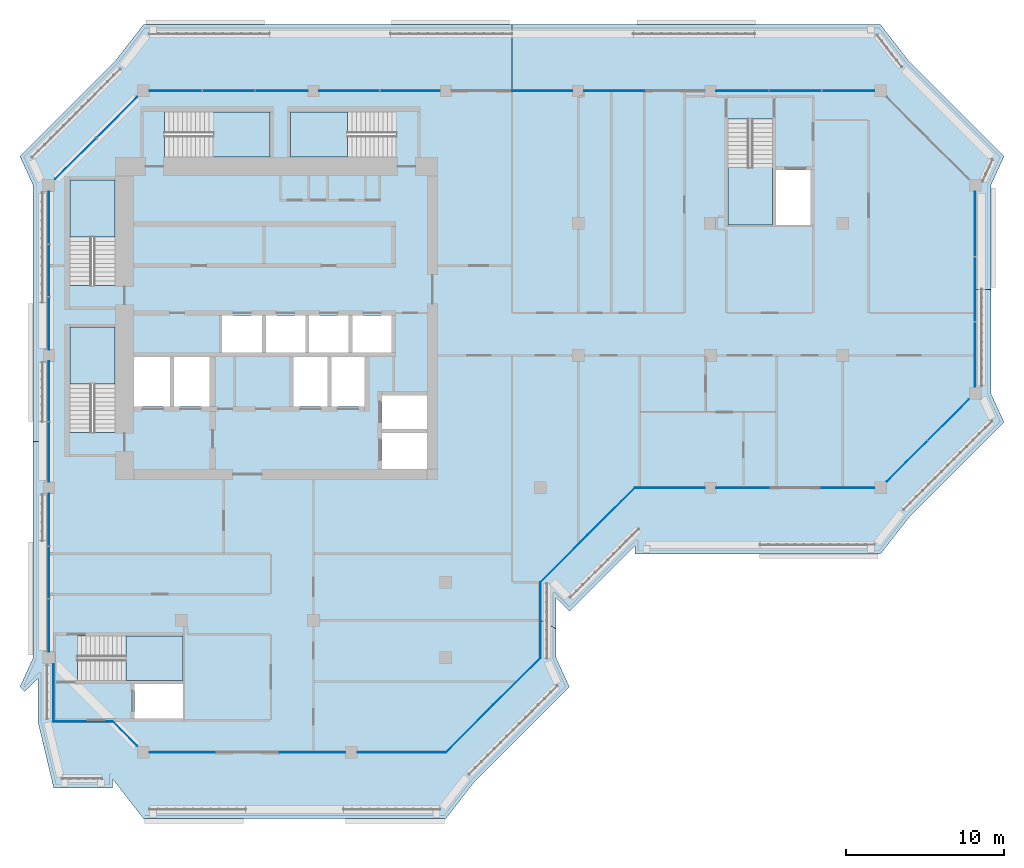
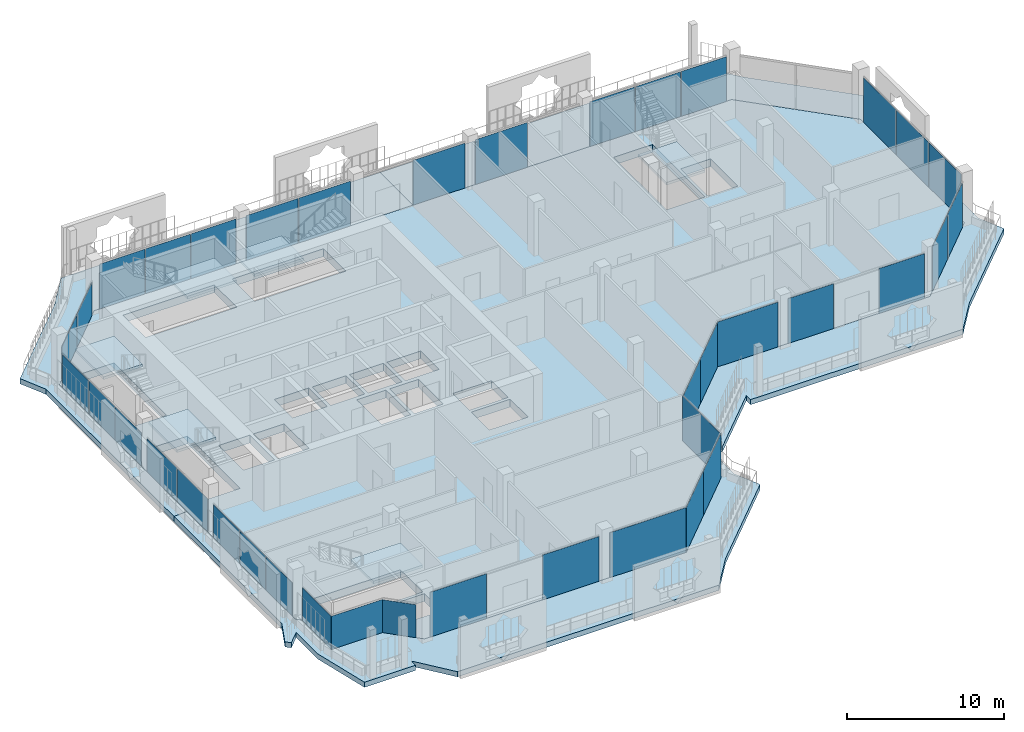
# One storey, part 9 of 21: 39 plates, 11 slabs, 19 elements without a shape of their own.
"""IFC4 building model written with IfcOpenShell, lengths in metres."""

from ifc_helpers import new_model, si_unit, direction, frame, origin, origin_2d, place, context, subcontext, project, spatial, polyline, rectangle, outline, extrude, material, layer, layer_set, type_object, element, aggregate, save


model = new_model("IFC4")

# Units and contexts
model_context = context("Model", 3, precision=1e-05, world=origin(), true_north=direction((0.0, 1.0)))
body_context = subcontext(model_context, "Body", "Model", "MODEL_VIEW")
ifc_project = project(units=[si_unit("LENGTHUNIT", "METRE"), si_unit("AREAUNIT", "SQUARE_METRE"), si_unit("VOLUMEUNIT", "CUBIC_METRE"), si_unit("PLANEANGLEUNIT", "RADIAN"), si_unit("MASSUNIT", "GRAM", prefix="KILO")], contexts=[model_context])

# Site, building, storey
site_placement = place(None, origin())
site = spatial("IfcSite", under=ifc_project, at=site_placement, CompositionType="ELEMENT")
building_placement = place(site_placement, origin())
building = spatial("IfcBuilding", under=site, at=building_placement, Name="Kawkab Arch Medical Tower", CompositionType="ELEMENT")
storey_placement = place(building_placement, frame((0.0, 0.0, 319.60009765625)))
storey = spatial("IfcBuildingStorey", under=building, at=storey_placement, Name="L74", CompositionType="ELEMENT", Elevation=319.60009765625)

# Curtain wall, plates
ifc_material_1 = material(Name="Bronze anodised aluminium curtain wall frame", Category="aluminium")
ifc_layer_1 = layer(ifc_material_1, 0.159912109375)
ifc_layer_set_1 = layer_set([ifc_layer_1], Name="Bronze anodised aluminium curtain wall frame")
curtain_wall_type_1 = type_object("IfcCurtainWallType", Name="CW1 ward curtain wall", PredefinedType="NOTDEFINED", material=ifc_layer_set_1)
placement_1 = place(storey_placement, origin())
curtain_wall_1 = element("IfcCurtainWall", 1, at=placement_1, inside=storey, type_object=curtain_wall_type_1, Name="CW1 Ward curtain wall R02", PredefinedType="NOTDEFINED")
ifc_material_2 = material(Name="Tinted insulating glass, bronze low-e coating", Category="glass")
ifc_layer_2 = layer(ifc_material_2, 0.031982421875)
ifc_layer_set_2 = layer_set([ifc_layer_2], Name="Tinted insulating glass, bronze low-e coating")
plate_type_1 = type_object("IfcPlateType", Name="CW1 glazing unit 32", PredefinedType="CURTAIN_PANEL", material=ifc_layer_set_2)
plate_1_placement = place(storey_placement, frame((0.0, -8.055908203125, -0.000244140625), z_axis=(0.0, 0.0, 1.0), x_axis=(0.0, -1.0, 0.0)))
plate_1 = element("IfcPlate", 2, at=plate_1_placement, type_object=plate_type_1, Name="CW1 glazing unit 1.1", PredefinedType="CURTAIN_PANEL", context=body_context, shape_type="SweptSolid", body=[
    extrude(rectangle(XDim=3.311767578125, YDim=0.031982421875, at=origin_2d()), origin(), (0.0, 0.0, 1.0), 2.580078125),
])
plate_2_placement = place(storey_placement, frame((0.0, -11.41259765625, -0.000244140625), z_axis=(0.0, 0.0, 1.0), x_axis=(0.0, -1.0, 0.0)))
plate_2 = element("IfcPlate", 3, at=plate_2_placement, type_object=plate_type_1, Name="CW1 glazing unit 1.2", PredefinedType="CURTAIN_PANEL", context=body_context, shape_type="SweptSolid", body=[
    extrude(rectangle(XDim=3.28173828125, YDim=0.031982421875, at=origin_2d()), origin(), (0.0, 0.0, 1.0), 2.580078125),
])
plate_3_placement = place(storey_placement, frame((0.0, -14.769287109375, -0.000244140625), z_axis=(0.0, 0.0, 1.0), x_axis=(0.0, -1.0, 0.0)))
plate_3 = element("IfcPlate", 4, at=plate_3_placement, type_object=plate_type_1, Name="CW1 glazing unit 1.3", PredefinedType="CURTAIN_PANEL", context=body_context, shape_type="SweptSolid", body=[
    extrude(rectangle(XDim=3.311767578125, YDim=0.031982421875, at=origin_2d()), origin(), (0.0, 0.0, 1.0), 2.580078125),
])
plate_4_placement = place(storey_placement, frame((0.0, -19.072509765625, -0.000244140625), z_axis=(0.0, 0.0, 1.0), x_axis=(0.0, -1.0, 0.0)))
plate_4 = element("IfcPlate", 5, at=plate_4_placement, type_object=plate_type_1, Name="CW1 glazing unit 2.1", PredefinedType="CURTAIN_PANEL", context=body_context, shape_type="SweptSolid", body=[
    extrude(rectangle(XDim=3.794921875, YDim=0.031982421875, at=origin_2d()), origin(), (0.0, 0.0, 1.0), 2.580078125),
])
plate_5_placement = place(storey_placement, frame((0.0, -22.927490234375, -0.000244140625), z_axis=(0.0, 0.0, 1.0), x_axis=(0.0, -1.0, 0.0)))
plate_5 = element("IfcPlate", 6, at=plate_5_placement, type_object=plate_type_1, Name="CW1 glazing unit 2.2", PredefinedType="CURTAIN_PANEL", context=body_context, shape_type="SweptSolid", body=[
    extrude(rectangle(XDim=3.794921875, YDim=0.031982421875, at=origin_2d()), origin(), (0.0, 0.0, 1.0), 2.580078125),
])
plate_6_placement = place(storey_placement, frame((0.0, -27.230712890625, -0.000244140625), z_axis=(0.0, 0.0, 1.0), x_axis=(0.0, -1.0, 0.0)))
plate_6 = element("IfcPlate", 7, at=plate_6_placement, type_object=plate_type_1, Name="CW1 glazing unit 3.1", PredefinedType="CURTAIN_PANEL", context=body_context, shape_type="SweptSolid", body=[
    extrude(rectangle(XDim=3.311767578125, YDim=0.031982421875, at=origin_2d()), origin(), (0.0, 0.0, 1.0), 2.580078125),
])
plate_7_placement = place(storey_placement, frame((0.0, -30.58740234375, -0.000244140625), z_axis=(0.0, 0.0, 1.0), x_axis=(0.0, -1.0, 0.0)))
plate_7 = element("IfcPlate", 8, at=plate_7_placement, type_object=plate_type_1, Name="CW1 glazing unit 3.2", PredefinedType="CURTAIN_PANEL", context=body_context, shape_type="SweptSolid", body=[
    extrude(rectangle(XDim=3.28173828125, YDim=0.031982421875, at=origin_2d()), origin(), (0.0, 0.0, 1.0), 2.580078125),
])
plate_8_placement = place(storey_placement, frame((0.0, -33.944091796875, -0.000244140625), z_axis=(0.0, 0.0, 1.0), x_axis=(0.0, -1.0, 0.0)))
plate_8 = element("IfcPlate", 9, at=plate_8_placement, type_object=plate_type_1, Name="CW1 glazing unit 3.3", PredefinedType="CURTAIN_PANEL", context=body_context, shape_type="SweptSolid", body=[
    extrude(rectangle(XDim=3.311767578125, YDim=0.031982421875, at=origin_2d()), origin(), (0.0, 0.0, 1.0), 2.580078125),
])
aggregate(curtain_wall_1, [plate_1, plate_2, plate_3, plate_4, plate_5, plate_6, plate_7, plate_8])

# Curtain wall, plate
curtain_wall_2 = element("IfcCurtainWall", 10, at=placement_1, inside=storey, type_object=curtain_wall_type_1, Name="CW1 Ward curtain wall R04", PredefinedType="NOTDEFINED")
plate_9_placement = place(storey_placement, frame((0.300048828125, -38.22509765625, -0.000244140625), z_axis=(0.0, 0.0, 1.0), x_axis=(0.0, -1.0, 0.0)))
plate_9 = element("IfcPlate", 11, at=plate_9_placement, type_object=plate_type_1, Name="CW1 glazing unit 1.1", PredefinedType="CURTAIN_PANEL", context=body_context, shape_type="SweptSolid", body=[
    extrude(rectangle(XDim=3.64990234375, YDim=0.031982421875, at=origin_2d()), origin(), (0.0, 0.0, 1.0), 2.580078125),
])
aggregate(curtain_wall_2, [plate_9])

curtain_wall_3 = element("IfcCurtainWall", 12, at=placement_1, inside=storey, type_object=curtain_wall_type_1, Name="CW1 Ward curtain wall R05", PredefinedType="NOTDEFINED")
plate_10_placement = place(storey_placement, frame((2.175048828125, -40.050048828125, -0.000244140625), z_axis=(0.0, 0.0, 1.0), x_axis=(1.0, 0.0, 0.0)))
plate_10 = element("IfcPlate", 13, at=plate_10_placement, type_object=plate_type_1, Name="CW1 glazing unit 1.1", PredefinedType="CURTAIN_PANEL", context=body_context, shape_type="SweptSolid", body=[
    extrude(rectangle(XDim=3.75, YDim=0.031982421875, at=origin_2d()), origin(), (0.0, 0.0, 1.0), 2.580078125),
])
aggregate(curtain_wall_3, [plate_10])

# Curtain wall, plates
curtain_wall_4 = element("IfcCurtainWall", 14, at=placement_1, inside=storey, type_object=curtain_wall_type_1, Name="CW1 Ward curtain wall R07", PredefinedType="NOTDEFINED")
plate_11_placement = place(storey_placement, frame((8.466552734375, -42.0, 0.0), z_axis=(0.0, 0.0, 1.0), x_axis=(1.0, 0.0, 0.0)))
plate_11 = element("IfcPlate", 15, at=plate_11_placement, type_object=plate_type_1, Name="CW1 glazing unit 1.1", PredefinedType="CURTAIN_PANEL", context=body_context, shape_type="SweptSolid", body=[
    extrude(rectangle(XDim=4.13330078125, YDim=0.031982421875, at=origin_2d()), origin(), (0.0, 0.0, 1.0), 3.47998046875),
])
plate_12_placement = place(storey_placement, frame((16.7333984375, -42.0, 0.0), z_axis=(0.0, 0.0, 1.0), x_axis=(1.0, 0.0, 0.0)))
plate_12 = element("IfcPlate", 16, at=plate_12_placement, type_object=plate_type_1, Name="CW1 glazing unit 1.3", PredefinedType="CURTAIN_PANEL", context=body_context, shape_type="SweptSolid", body=[
    extrude(rectangle(XDim=4.13330078125, YDim=0.031982421875, at=origin_2d()), origin(), (0.0, 0.0, 1.0), 3.47998046875),
])
plate_13_placement = place(storey_placement, frame((22.39990234375, -42.0, 0.0), z_axis=(0.0, 0.0, 1.0), x_axis=(1.0, 0.0, 0.0)))
plate_13 = element("IfcPlate", 17, at=plate_13_placement, type_object=plate_type_1, Name="CW1 glazing unit 2.1", PredefinedType="CURTAIN_PANEL", context=body_context, shape_type="SweptSolid", body=[
    extrude(rectangle(XDim=5.60009765625, YDim=0.031982421875, at=origin_2d()), origin(), (0.0, 0.0, 1.0), 3.47998046875),
])
aggregate(curtain_wall_4, [plate_11, plate_12, plate_13])

# Curtain wall, plate
curtain_wall_5 = element("IfcCurtainWall", 18, at=placement_1, inside=storey, type_object=curtain_wall_type_1, Name="CW1 Ward curtain wall R09", PredefinedType="NOTDEFINED")
plate_14_placement = place(storey_placement, frame((31.199951171875, -33.60009765625, 0.0), z_axis=(0.0, 0.0, 1.0), x_axis=(0.0, 1.0, 0.0)))
plate_14 = element("IfcPlate", 19, at=plate_14_placement, type_object=plate_type_1, Name="CW1 glazing unit 1.1", PredefinedType="CURTAIN_PANEL", context=body_context, shape_type="SweptSolid", body=[
    extrude(rectangle(XDim=4.800048828125, YDim=0.031982421875, at=origin_2d()), origin(), (0.0, 0.0, 1.0), 3.47998046875),
])
aggregate(curtain_wall_5, [plate_14])

# Curtain wall, plates
curtain_wall_6 = element("IfcCurtainWall", 20, at=placement_1, inside=storey, type_object=curtain_wall_type_1, Name="CW1 Ward curtain wall R11", PredefinedType="NOTDEFINED")
plate_15_placement = place(storey_placement, frame((39.41259765625, -25.199951171875, 0.0), z_axis=(0.0, 0.0, 1.0), x_axis=(1.0, 0.0, 0.0)))
plate_15 = element("IfcPlate", 21, at=plate_15_placement, type_object=plate_type_1, Name="CW1 glazing unit 1.1", PredefinedType="CURTAIN_PANEL", context=body_context, shape_type="SweptSolid", body=[
    extrude(rectangle(XDim=4.425048828125, YDim=0.031982421875, at=origin_2d()), origin(), (0.0, 0.0, 1.0), 3.47998046875),
])
plate_16_placement = place(storey_placement, frame((44.0458984375, -25.199951171875, 0.0), z_axis=(0.0, 0.0, 1.0), x_axis=(1.0, 0.0, 0.0)))
plate_16 = element("IfcPlate", 22, at=plate_16_placement, type_object=plate_type_1, Name="CW1 glazing unit 2.1", PredefinedType="CURTAIN_PANEL", context=body_context, shape_type="SweptSolid", body=[
    extrude(rectangle(XDim=3.341552734375, YDim=0.031982421875, at=origin_2d()), origin(), (0.0, 0.0, 1.0), 3.47998046875),
])
plate_17_placement = place(storey_placement, frame((50.729248046875, -25.199951171875, 0.0), z_axis=(0.0, 0.0, 1.0), x_axis=(1.0, 0.0, 0.0)))
plate_17 = element("IfcPlate", 23, at=plate_17_placement, type_object=plate_type_1, Name="CW1 glazing unit 2.3", PredefinedType="CURTAIN_PANEL", context=body_context, shape_type="SweptSolid", body=[
    extrude(rectangle(XDim=3.341552734375, YDim=0.031982421875, at=origin_2d()), origin(), (0.0, 0.0, 1.0), 3.47998046875),
])
aggregate(curtain_wall_6, [plate_15, plate_16, plate_17])

curtain_wall_7 = element("IfcCurtainWall", 24, at=placement_1, inside=storey, type_object=curtain_wall_type_1, Name="CW1 Ward curtain wall R13", PredefinedType="NOTDEFINED")
plate_18_placement = place(storey_placement, frame((58.800048828125, -16.748291015625, 0.0), z_axis=(0.0, 0.0, 1.0), x_axis=(0.0, 1.0, 0.0)))
plate_18 = element("IfcPlate", 25, at=plate_18_placement, type_object=plate_type_1, Name="CW1 glazing unit 1.1", PredefinedType="CURTAIN_PANEL", context=body_context, shape_type="SweptSolid", body=[
    extrude(rectangle(XDim=4.103271484375, YDim=0.031982421875, at=origin_2d()), origin(), (0.0, 0.0, 1.0), 3.47998046875),
])
plate_19_placement = place(storey_placement, frame((58.800048828125, -12.60009765625, 0.0), z_axis=(0.0, 0.0, 1.0), x_axis=(0.0, 1.0, 0.0)))
plate_19 = element("IfcPlate", 26, at=plate_19_placement, type_object=plate_type_1, Name="CW1 glazing unit 1.2", PredefinedType="CURTAIN_PANEL", context=body_context, shape_type="SweptSolid", body=[
    extrude(rectangle(XDim=4.0732421875, YDim=0.031982421875, at=origin_2d()), origin(), (0.0, 0.0, 1.0), 3.47998046875),
])
plate_20_placement = place(storey_placement, frame((58.800048828125, -8.45166015625, 0.0), z_axis=(0.0, 0.0, 1.0), x_axis=(0.0, 1.0, 0.0)))
plate_20 = element("IfcPlate", 27, at=plate_20_placement, type_object=plate_type_1, Name="CW1 glazing unit 1.3", PredefinedType="CURTAIN_PANEL", context=body_context, shape_type="SweptSolid", body=[
    extrude(rectangle(XDim=4.103271484375, YDim=0.031982421875, at=origin_2d()), origin(), (0.0, 0.0, 1.0), 3.47998046875),
])
aggregate(curtain_wall_7, [plate_18, plate_19, plate_20])

curtain_wall_8 = element("IfcCurtainWall", 28, at=placement_1, inside=storey, type_object=curtain_wall_type_1, Name="CW1 Ward curtain wall R15", PredefinedType="NOTDEFINED")
plate_21_placement = place(storey_placement, frame((50.744140625, 0.0, 0.0), z_axis=(0.0, 0.0, 1.0), x_axis=(-1.0, 0.0, 0.0)))
plate_21 = element("IfcPlate", 29, at=plate_21_placement, type_object=plate_type_1, Name="CW1 glazing unit 1.1", PredefinedType="CURTAIN_PANEL", context=body_context, shape_type="SweptSolid", body=[
    extrude(rectangle(XDim=3.311767578125, YDim=0.031982421875, at=origin_2d()), origin(), (0.0, 0.0, 1.0), 3.47998046875),
])
plate_22_placement = place(storey_placement, frame((47.387451171875, 0.0, 0.0), z_axis=(0.0, 0.0, 1.0), x_axis=(-1.0, 0.0, 0.0)))
plate_22 = element("IfcPlate", 30, at=plate_22_placement, type_object=plate_type_1, Name="CW1 glazing unit 1.2", PredefinedType="CURTAIN_PANEL", context=body_context, shape_type="SweptSolid", body=[
    extrude(rectangle(XDim=3.28173828125, YDim=0.031982421875, at=origin_2d()), origin(), (0.0, 0.0, 1.0), 3.47998046875),
])
plate_23_placement = place(storey_placement, frame((44.03076171875, 0.0, 0.0), z_axis=(0.0, 0.0, 1.0), x_axis=(-1.0, 0.0, 0.0)))
plate_23 = element("IfcPlate", 31, at=plate_23_placement, type_object=plate_type_1, Name="CW1 glazing unit 1.3", PredefinedType="CURTAIN_PANEL", context=body_context, shape_type="SweptSolid", body=[
    extrude(rectangle(XDim=3.311767578125, YDim=0.031982421875, at=origin_2d()), origin(), (0.0, 0.0, 1.0), 3.47998046875),
])
plate_24_placement = place(storey_placement, frame((35.887451171875, 0.0, 0.0), z_axis=(0.0, 0.0, 1.0), x_axis=(-1.0, 0.0, 0.0)))
plate_24 = element("IfcPlate", 32, at=plate_24_placement, type_object=plate_type_1, Name="CW1 glazing unit 2.2", PredefinedType="CURTAIN_PANEL", context=body_context, shape_type="SweptSolid", body=[
    extrude(rectangle(XDim=3.824951171875, YDim=0.031982421875, at=origin_2d()), origin(), (0.0, 0.0, 1.0), 3.47998046875),
])
plate_25_placement = place(storey_placement, frame((31.3125, 0.0, 0.0), z_axis=(0.0, 0.0, 1.0), x_axis=(-1.0, 0.0, 0.0)))
plate_25 = element("IfcPlate", 33, at=plate_25_placement, type_object=plate_type_1, Name="CW1 glazing unit 3.1", PredefinedType="CURTAIN_PANEL", context=body_context, shape_type="SweptSolid", body=[
    extrude(rectangle(XDim=3.824951171875, YDim=0.031982421875, at=origin_2d()), origin(), (0.0, 0.0, 1.0), 3.47998046875),
])
plate_26_placement = place(storey_placement, frame((22.927490234375, 0.0, 0.0), z_axis=(0.0, 0.0, 1.0), x_axis=(-1.0, 0.0, 0.0)))
plate_26 = element("IfcPlate", 34, at=plate_26_placement, type_object=plate_type_1, Name="CW1 glazing unit 4.1", PredefinedType="CURTAIN_PANEL", context=body_context, shape_type="SweptSolid", body=[
    extrude(rectangle(XDim=3.794921875, YDim=0.031982421875, at=origin_2d()), origin(), (0.0, 0.0, 1.0), 3.47998046875),
])
plate_27_placement = place(storey_placement, frame((19.072509765625, 0.0, 0.0), z_axis=(0.0, 0.0, 1.0), x_axis=(-1.0, 0.0, 0.0)))
plate_27 = element("IfcPlate", 35, at=plate_27_placement, type_object=plate_type_1, Name="CW1 glazing unit 4.2", PredefinedType="CURTAIN_PANEL", context=body_context, shape_type="SweptSolid", body=[
    extrude(rectangle(XDim=3.794921875, YDim=0.031982421875, at=origin_2d()), origin(), (0.0, 0.0, 1.0), 3.47998046875),
])
plate_28_placement = place(storey_placement, frame((14.769287109375, 0.0, 0.0), z_axis=(0.0, 0.0, 1.0), x_axis=(-1.0, 0.0, 0.0)))
plate_28 = element("IfcPlate", 36, at=plate_28_placement, type_object=plate_type_1, Name="CW1 glazing unit 5.1", PredefinedType="CURTAIN_PANEL", context=body_context, shape_type="SweptSolid", body=[
    extrude(rectangle(XDim=3.311767578125, YDim=0.031982421875, at=origin_2d()), origin(), (0.0, 0.0, 1.0), 3.47998046875),
])
plate_29_placement = place(storey_placement, frame((11.41259765625, 0.0, 0.0), z_axis=(0.0, 0.0, 1.0), x_axis=(-1.0, 0.0, 0.0)))
plate_29 = element("IfcPlate", 37, at=plate_29_placement, type_object=plate_type_1, Name="CW1 glazing unit 5.2", PredefinedType="CURTAIN_PANEL", context=body_context, shape_type="SweptSolid", body=[
    extrude(rectangle(XDim=3.28173828125, YDim=0.031982421875, at=origin_2d()), origin(), (0.0, 0.0, 1.0), 3.47998046875),
])
plate_30_placement = place(storey_placement, frame((8.055908203125, 0.0, 0.0), z_axis=(0.0, 0.0, 1.0), x_axis=(-1.0, 0.0, 0.0)))
plate_30 = element("IfcPlate", 38, at=plate_30_placement, type_object=plate_type_1, Name="CW1 glazing unit 5.3", PredefinedType="CURTAIN_PANEL", context=body_context, shape_type="SweptSolid", body=[
    extrude(rectangle(XDim=3.311767578125, YDim=0.031982421875, at=origin_2d()), origin(), (0.0, 0.0, 1.0), 3.47998046875),
])
aggregate(curtain_wall_8, [plate_21, plate_22, plate_23, plate_24, plate_25, plate_26, plate_27, plate_28, plate_29, plate_30])

ifc_material_3 = material(Name="Bronze anodised aluminium curtain wall frame", Category="aluminium")
ifc_layer_3 = layer(ifc_material_3, 0.159912109375)
ifc_layer_set_3 = layer_set([ifc_layer_3], Name="Bronze anodised aluminium curtain wall frame")
curtain_wall_type_2 = type_object("IfcCurtainWallType", Name="CW2 chamfer curtain wall", PredefinedType="NOTDEFINED", material=ifc_layer_set_3)
curtain_wall_9 = element("IfcCurtainWall", 39, at=placement_1, inside=storey, type_object=curtain_wall_type_2, Name="CW2 Chamfer curtain wall R01", PredefinedType="NOTDEFINED")
ifc_material_4 = material(Name="Tinted insulating glass, bronze low-e coating", Category="glass")
ifc_layer_4 = layer(ifc_material_4, 0.031982421875)
ifc_layer_set_4 = layer_set([ifc_layer_4], Name="Tinted insulating glass, bronze low-e coating")
plate_type_2 = type_object("IfcPlateType", Name="CW2 glazing unit 32", PredefinedType="CURTAIN_PANEL", material=ifc_layer_set_4)
plate_31_placement = place(storey_placement, frame((4.310546875, -1.689453125, -0.000244140625), z_axis=(0.0, 0.0, 1.0), x_axis=(-0.707106781187, -0.707106781187, 0.0)))
plate_31 = element("IfcPlate", 40, at=plate_31_placement, type_object=plate_type_2, Name="CW2 glazing unit 1.1", PredefinedType="CURTAIN_PANEL", context=body_context, shape_type="SweptSolid", body=[
    extrude(rectangle(XDim=3.64697265625, YDim=0.031982421875, at=origin_2d()), origin(), (0.0, 0.0, 1.0), 2.56005859375),
])
plate_32_placement = place(storey_placement, frame((1.689453125, -4.310546875, -0.000244140625), z_axis=(0.0, 0.0, 1.0), x_axis=(-0.707106781187, -0.707106781187, 0.0)))
plate_32 = element("IfcPlate", 41, at=plate_32_placement, type_object=plate_type_2, Name="CW2 glazing unit 1.2", PredefinedType="CURTAIN_PANEL", context=body_context, shape_type="SweptSolid", body=[
    extrude(rectangle(XDim=3.64697265625, YDim=0.031982421875, at=origin_2d()), origin(), (0.0, 0.0, 1.0), 2.56005859375),
])
aggregate(curtain_wall_9, [plate_31, plate_32])

# Curtain wall, plate
curtain_wall_10 = element("IfcCurtainWall", 42, at=placement_1, inside=storey, type_object=curtain_wall_type_2, Name="CW2 Chamfer curtain wall R06", PredefinedType="NOTDEFINED")
plate_33_placement = place(storey_placement, frame((4.824951171875, -40.824951171875, -0.000244140625), z_axis=(0.0, 0.0, 1.0), x_axis=(0.707106781187, -0.707106781187, 0.0)))
plate_33 = element("IfcPlate", 43, at=plate_33_placement, type_object=plate_type_2, Name="CW2 glazing unit 1.1", PredefinedType="CURTAIN_PANEL", context=body_context, shape_type="SweptSolid", body=[
    extrude(rectangle(XDim=2.192138671875, YDim=0.031982421875, at=origin_2d()), origin(), (0.0, 0.0, 1.0), 2.56005859375),
])
aggregate(curtain_wall_10, [plate_33])

# Curtain wall, plates
curtain_wall_11 = element("IfcCurtainWall", 44, at=placement_1, inside=storey, type_object=curtain_wall_type_2, Name="CW2 Chamfer curtain wall R08", PredefinedType="NOTDEFINED")
plate_34_placement = place(storey_placement, frame((26.699951171875, -40.5, 0.0), z_axis=(0.0, 0.0, 1.0), x_axis=(0.707106781187, 0.707106781187, 0.0)))
plate_34 = element("IfcPlate", 45, at=plate_34_placement, type_object=plate_type_2, Name="CW2 glazing unit 1.1", PredefinedType="CURTAIN_PANEL", context=body_context, shape_type="SweptSolid", body=[
    extrude(rectangle(XDim=4.24267578125, YDim=0.031982421875, at=origin_2d()), origin(), (0.0, 0.0, 1.0), 3.4599609375),
])
plate_35_placement = place(storey_placement, frame((29.699951171875, -37.5, 0.0), z_axis=(0.0, 0.0, 1.0), x_axis=(0.707106781187, 0.707106781187, 0.0)))
plate_35 = element("IfcPlate", 46, at=plate_35_placement, type_object=plate_type_2, Name="CW2 glazing unit 2.1", PredefinedType="CURTAIN_PANEL", context=body_context, shape_type="SweptSolid", body=[
    extrude(rectangle(XDim=4.24267578125, YDim=0.031982421875, at=origin_2d()), origin(), (0.0, 0.0, 1.0), 3.4599609375),
])
aggregate(curtain_wall_11, [plate_34, plate_35])

curtain_wall_12 = element("IfcCurtainWall", 47, at=placement_1, inside=storey, type_object=curtain_wall_type_2, Name="CW2 Chamfer curtain wall R10", PredefinedType="NOTDEFINED")
plate_36_placement = place(storey_placement, frame((32.699951171875, -29.699951171875, 0.0), z_axis=(0.0, 0.0, 1.0), x_axis=(0.707106781187, 0.707106781187, 0.0)))
plate_36 = element("IfcPlate", 48, at=plate_36_placement, type_object=plate_type_2, Name="CW2 glazing unit 1.1", PredefinedType="CURTAIN_PANEL", context=body_context, shape_type="SweptSolid", body=[
    extrude(rectangle(XDim=4.24267578125, YDim=0.031982421875, at=origin_2d()), origin(), (0.0, 0.0, 1.0), 3.4599609375),
])
plate_37_placement = place(storey_placement, frame((35.699951171875, -26.699951171875, 0.0), z_axis=(0.0, 0.0, 1.0), x_axis=(0.707106781187, 0.707106781187, 0.0)))
plate_37 = element("IfcPlate", 49, at=plate_37_placement, type_object=plate_type_2, Name="CW2 glazing unit 2.1", PredefinedType="CURTAIN_PANEL", context=body_context, shape_type="SweptSolid", body=[
    extrude(rectangle(XDim=4.24267578125, YDim=0.031982421875, at=origin_2d()), origin(), (0.0, 0.0, 1.0), 3.4599609375),
])
aggregate(curtain_wall_12, [plate_36, plate_37])

curtain_wall_13 = element("IfcCurtainWall", 50, at=placement_1, inside=storey, type_object=curtain_wall_type_2, Name="CW2 Chamfer curtain wall R12", PredefinedType="NOTDEFINED")
plate_38_placement = place(storey_placement, frame((54.489501953125, -23.510498046875, 0.0), z_axis=(0.0, 0.0, 1.0), x_axis=(0.707106781187, 0.707106781187, 0.0)))
plate_38 = element("IfcPlate", 51, at=plate_38_placement, type_object=plate_type_2, Name="CW2 glazing unit 1.1", PredefinedType="CURTAIN_PANEL", context=body_context, shape_type="SweptSolid", body=[
    extrude(rectangle(XDim=3.64697265625, YDim=0.031982421875, at=origin_2d()), origin(), (0.0, 0.0, 1.0), 3.4599609375),
])
plate_39_placement = place(storey_placement, frame((57.110595703125, -20.889404296875, 0.0), z_axis=(0.0, 0.0, 1.0), x_axis=(0.707106781187, 0.707106781187, 0.0)))
plate_39 = element("IfcPlate", 52, at=plate_39_placement, type_object=plate_type_2, Name="CW2 glazing unit 1.2", PredefinedType="CURTAIN_PANEL", context=body_context, shape_type="SweptSolid", body=[
    extrude(rectangle(XDim=3.64697265625, YDim=0.031982421875, at=origin_2d()), origin(), (0.0, 0.0, 1.0), 3.4599609375),
])
aggregate(curtain_wall_13, [plate_38, plate_39])

# Stair, slab
ifc_material_5 = material(Name="Concrete C40/50", Category="concrete")
stair_type = type_object("IfcStairType", Name="Exit stair 1350", PredefinedType="HALF_TURN_STAIR", material=ifc_material_5)
stair_1 = element("IfcStair", 53, at=placement_1, inside=storey, type_object=stair_type, Name="L74 Exit stair ST1", PredefinedType="HALF_TURN_STAIR")
ifc_material_6 = material(Name="Concrete C40/50", Category="concrete")
ifc_layer_5 = layer(ifc_material_6, 0.199951171875)
ifc_layer_set_5 = layer_set([ifc_layer_5], Name="Concrete C40/50")
slab_type_1 = type_object("IfcSlabType", Name="Exit stair landing 200", PredefinedType="LANDING", material=ifc_layer_set_5)
placement_2 = place(storey_placement, frame((0.0, 0.0, 1.89990234375)))
slab_1 = element("IfcSlab", 54, at=placement_2, type_object=slab_type_1, Name="ST1 landing 1", PredefinedType="LANDING", context=body_context, shape_type="SweptSolid", body=[
    extrude(outline(polyline([(4.199951171875, -9.27001953125), (4.199951171875, -5.64990234375), (1.35009765625, -5.64990234375), (1.35009765625, -9.27001953125), (4.199951171875, -9.27001953125)])), origin(), (0.0, 0.0, 1.0), 0.199951171875),
])
aggregate(stair_1, [slab_1])

stair_2 = element("IfcStair", 55, at=placement_1, inside=storey, type_object=stair_type, Name="L74 Exit stair ST2", PredefinedType="HALF_TURN_STAIR")
slab_2 = element("IfcSlab", 56, at=placement_2, type_object=slab_type_1, Name="ST2 landing 1", PredefinedType="LANDING", context=body_context, shape_type="SweptSolid", body=[
    extrude(outline(polyline([(4.199951171875, -18.6201171875), (4.199951171875, -15.0), (1.35009765625, -15.0), (1.35009765625, -18.6201171875), (4.199951171875, -18.6201171875)])), origin(), (0.0, 0.0, 1.0), 0.199951171875),
])
aggregate(stair_2, [slab_2])

stair_3 = element("IfcStair", 57, at=placement_1, inside=storey, type_object=stair_type, Name="L74 Exit stair ST3", PredefinedType="HALF_TURN_STAIR")
slab_3 = element("IfcSlab", 58, at=placement_2, type_object=slab_type_1, Name="ST3 landing 1", PredefinedType="LANDING", context=body_context, shape_type="SweptSolid", body=[
    extrude(outline(polyline([(10.429931640625, -4.199951171875), (14.050048828125, -4.199951171875), (14.050048828125, -1.35009765625), (10.429931640625, -1.35009765625), (10.429931640625, -4.199951171875)])), origin(), (0.0, 0.0, 1.0), 0.199951171875),
])
aggregate(stair_3, [slab_3])

stair_4 = element("IfcStair", 59, at=placement_1, inside=storey, type_object=stair_type, Name="L74 Exit stair ST4", PredefinedType="HALF_TURN_STAIR")
slab_4 = element("IfcSlab", 60, at=placement_2, type_object=slab_type_1, Name="ST4 landing 1", PredefinedType="LANDING", context=body_context, shape_type="SweptSolid", body=[
    extrude(outline(polyline([(18.969970703125, -1.35009765625), (15.35009765625, -1.35009765625), (15.35009765625, -4.199951171875), (18.969970703125, -4.199951171875), (18.969970703125, -1.35009765625)])), origin(), (0.0, 0.0, 1.0), 0.199951171875),
])
aggregate(stair_4, [slab_4])

stair_5 = element("IfcStair", 61, at=placement_1, inside=storey, type_object=stair_type, Name="L74 Exit stair ST5", PredefinedType="HALF_TURN_STAIR")
slab_5 = element("IfcSlab", 62, at=placement_2, type_object=slab_type_1, Name="ST5 landing 1", PredefinedType="LANDING", context=body_context, shape_type="SweptSolid", body=[
    extrude(outline(polyline([(43.10009765625, -4.8798828125), (43.10009765625, -8.5), (45.949951171875, -8.5), (45.949951171875, -4.8798828125), (43.10009765625, -4.8798828125)])), origin(), (0.0, 0.0, 1.0), 0.199951171875),
])
aggregate(stair_5, [slab_5])

stair_6 = element("IfcStair", 63, at=placement_1, inside=storey, type_object=stair_type, Name="L74 Exit stair ST6", PredefinedType="HALF_TURN_STAIR")
slab_6 = element("IfcSlab", 64, at=placement_2, type_object=slab_type_1, Name="ST6 landing 1", PredefinedType="LANDING", context=body_context, shape_type="SweptSolid", body=[
    extrude(outline(polyline([(4.8798828125, -37.449951171875), (8.5, -37.449951171875), (8.5, -34.60009765625), (4.8798828125, -34.60009765625), (4.8798828125, -37.449951171875)])), origin(), (0.0, 0.0, 1.0), 0.199951171875),
])
aggregate(stair_6, [slab_6])

# Slabs
ifc_material_7 = material(Name="Concrete C45/55", Category="concrete")
ifc_layer_6 = layer(ifc_material_7, 0.60009765625)
ifc_layer_set_6 = layer_set([ifc_layer_6], Name="Concrete C45/55")
slab_type_2 = type_object("IfcSlabType", Name="Flat plate 600 C45/55", PredefinedType="FLOOR", material=ifc_layer_set_6)
slab_7_placement = place(storey_placement, frame((0.0, 0.0, -0.60009765625)))
element("IfcSlab", 65, at=slab_7_placement, inside=storey, type_object=slab_type_2, Name="Floor slab L74", PredefinedType="FLOOR", context=body_context, shape_type="SweptSolid", body=[
    extrude(outline(polyline([(52.800048828125, 0.0), (58.800048828125, -6.0), (58.800048828125, -19.199951171875), (52.800048828125, -25.199951171875), (37.199951171875, -25.199951171875), (31.199951171875, -31.199951171875), (31.199951171875, -36.0), (25.199951171875, -42.0), (6.0, -42.0), (4.050048828125, -40.050048828125), (0.300048828125, -40.050048828125), (0.300048828125, -36.300048828125), (0.0, -36.0), (0.0, -6.0), (6.0, 0.0), (52.800048828125, 0.0)]), holes=[polyline([(5.425048828125, -37.64990234375), (5.425048828125, -39.85009765625), (8.5, -39.85009765625), (8.5, -37.64990234375), (5.425048828125, -37.64990234375)]), polyline([(8.5, -37.449951171875), (8.5, -34.60009765625), (1.800048828125, -34.60009765625), (1.800048828125, -37.449951171875), (8.5, -37.449951171875)]), polyline([(5.39990234375, -20.050048828125), (7.675048828125, -20.050048828125), (7.675048828125, -16.89990234375), (5.39990234375, -16.89990234375), (5.39990234375, -20.050048828125)]), polyline([(10.199951171875, -16.89990234375), (7.925048828125, -16.89990234375), (7.925048828125, -20.050048828125), (10.199951171875, -20.050048828125), (10.199951171875, -16.89990234375)]), polyline([(4.199951171875, -15.0), (1.35009765625, -15.0), (1.35009765625, -21.699951171875), (4.199951171875, -21.699951171875), (4.199951171875, -15.0)]), polyline([(13.52490234375, -16.60009765625), (13.52490234375, -14.25), (11.0, -14.25), (11.0, -16.60009765625), (13.52490234375, -16.60009765625)]), polyline([(13.77490234375, -14.25), (13.77490234375, -16.60009765625), (16.27490234375, -16.60009765625), (16.27490234375, -14.25), (13.77490234375, -14.25)]), polyline([(4.199951171875, -12.35009765625), (4.199951171875, -5.64990234375), (1.35009765625, -5.64990234375), (1.35009765625, -12.35009765625), (4.199951171875, -12.35009765625)]), polyline([(7.35009765625, -4.199951171875), (14.050048828125, -4.199951171875), (14.050048828125, -1.35009765625), (7.35009765625, -1.35009765625), (7.35009765625, -4.199951171875)]), polyline([(24.0, -21.72509765625), (21.14990234375, -21.72509765625), (21.14990234375, -24.0), (24.0, -24.0), (24.0, -21.72509765625)]), polyline([(24.0, -19.35009765625), (21.14990234375, -19.35009765625), (21.14990234375, -21.47509765625), (24.0, -21.47509765625), (24.0, -19.35009765625)]), polyline([(15.52490234375, -16.89990234375), (15.52490234375, -20.050048828125), (17.675048828125, -20.050048828125), (17.675048828125, -16.89990234375), (15.52490234375, -16.89990234375)]), polyline([(17.925048828125, -16.89990234375), (17.925048828125, -20.050048828125), (20.050048828125, -20.050048828125), (20.050048828125, -16.89990234375), (17.925048828125, -16.89990234375)]), polyline([(19.02490234375, -14.25), (16.52490234375, -14.25), (16.52490234375, -16.60009765625), (19.02490234375, -16.60009765625), (19.02490234375, -14.25)]), polyline([(21.75, -14.25), (19.27490234375, -14.25), (19.27490234375, -16.60009765625), (21.75, -16.60009765625), (21.75, -14.25)]), polyline([(46.14990234375, -8.5), (48.35009765625, -8.5), (48.35009765625, -5.02490234375), (46.14990234375, -5.02490234375), (46.14990234375, -8.5)]), polyline([(43.10009765625, -1.800048828125), (43.10009765625, -8.5), (45.949951171875, -8.5), (45.949951171875, -1.800048828125), (43.10009765625, -1.800048828125)]), polyline([(22.050048828125, -1.35009765625), (15.35009765625, -1.35009765625), (15.35009765625, -4.199951171875), (22.050048828125, -4.199951171875), (22.050048828125, -1.35009765625)])]), origin(), (0.0, 0.0, 1.0), 0.60009765625),
])
ifc_material_8 = material(Name="Concrete C40/50", Category="concrete")
ifc_layer_7 = layer(ifc_material_8, 0.39990234375)
ifc_layer_set_7 = layer_set([ifc_layer_7], Name="Concrete C40/50")
slab_type_3 = type_object("IfcSlabType", Name="Loggia slab 400", PredefinedType="FLOOR", material=ifc_layer_set_7)
placement_3 = place(storey_placement, frame((0.0, 0.0, -0.400146484375)))
element("IfcSlab", 66, at=placement_3, inside=storey, type_object=slab_type_3, Name="Loggia slab L74.1", PredefinedType="FLOOR", context=body_context, shape_type="SweptSolid", body=[
    extrude(outline(polyline([(-1.0, -36.0), (-1.0, -22.280029296875), (-0.0009765625, -22.22705078125), (-0.0009765625, -36.0), (0.0, -36.0), (0.299072265625, -36.300048828125), (0.299072265625, -40.050048828125), (4.050048828125, -40.050048828125), (6.0, -42.0), (6.0, -42.0009765625), (25.199951171875, -42.0009765625), (25.199951171875, -42.0), (31.199951171875, -36.0), (31.199951171875, -33.60107421875), (32.199951171875, -34.156005859375), (32.199951171875, -36.0), (33.0380859375, -37.837890625), (27.0380859375, -43.837890625), (25.199951171875, -46.199951171875), (6.0, -46.199951171875), (4.162109375, -43.837890625), (4.050048828125, -43.72607421875), (4.050048828125, -44.25), (0.300048828125, -44.25), (-0.699951171875, -40.050048828125), (-0.699951171875, -37.299072265625), (-1.5380859375, -38.136962890625), (-1.837890625, -37.837890625), (-1.0, -36.0)])), origin(), (0.0, 0.0, 1.0), 0.400146484375),
])
element("IfcSlab", 67, at=placement_3, inside=storey, type_object=slab_type_3, Name="Loggia slab L74.2", PredefinedType="FLOOR", context=body_context, shape_type="SweptSolid", body=[
    extrude(outline(polyline([(31.199951171875, -31.199951171875), (37.199951171875, -25.199951171875), (52.800048828125, -25.199951171875), (58.800048828125, -19.199951171875), (58.800048828125, -12.60009765625), (59.800048828125, -12.60009765625), (59.800048828125, -19.199951171875), (60.637939453125, -21.0380859375), (54.637939453125, -27.0380859375), (52.800048828125, -29.39990234375), (37.199951171875, -29.39990234375), (37.199951171875, -28.8759765625), (33.0380859375, -33.037109375), (32.199951171875, -32.198974609375), (32.199951171875, -34.155029296875), (31.199951171875, -33.60009765625), (31.199951171875, -31.199951171875)])), origin(), (0.0, 0.0, 1.0), 0.400146484375),
])
element("IfcSlab", 68, at=placement_3, inside=storey, type_object=slab_type_3, Name="Loggia slab L74.3", PredefinedType="FLOOR", context=body_context, shape_type="SweptSolid", body=[
    extrude(outline(polyline([(-1.837890625, -4.162109375), (4.162109375, 1.837890625), (6.0, 4.199951171875), (29.39990234375, 4.199951171875), (29.39990234375, 0.0009765625), (6.0, 0.0009765625), (6.0, 0.0), (0.0, -6.0), (-0.0009765625, -6.0), (-0.0009765625, -22.22607421875), (-1.0, -22.279052734375), (-1.0, -6.0), (-1.837890625, -4.162109375)])), origin(), (0.0, 0.0, 1.0), 0.400146484375),
])
element("IfcSlab", 69, at=placement_3, inside=storey, type_object=slab_type_3, Name="Loggia slab L74.4", PredefinedType="FLOOR", context=body_context, shape_type="SweptSolid", body=[
    extrude(outline(polyline([(54.637939453125, 1.837890625), (60.637939453125, -4.162109375), (59.800048828125, -6.0), (59.800048828125, -12.60009765625), (58.800048828125, -12.60009765625), (58.800048828125, -6.0), (52.800048828125, 0.0), (52.800048828125, 0.0009765625), (29.39990234375, 0.0009765625), (29.39990234375, 4.199951171875), (52.800048828125, 4.199951171875), (54.637939453125, 1.837890625)])), origin(), (0.0, 0.0, 1.0), 0.400146484375),
])

save(model, "model.ifc")
